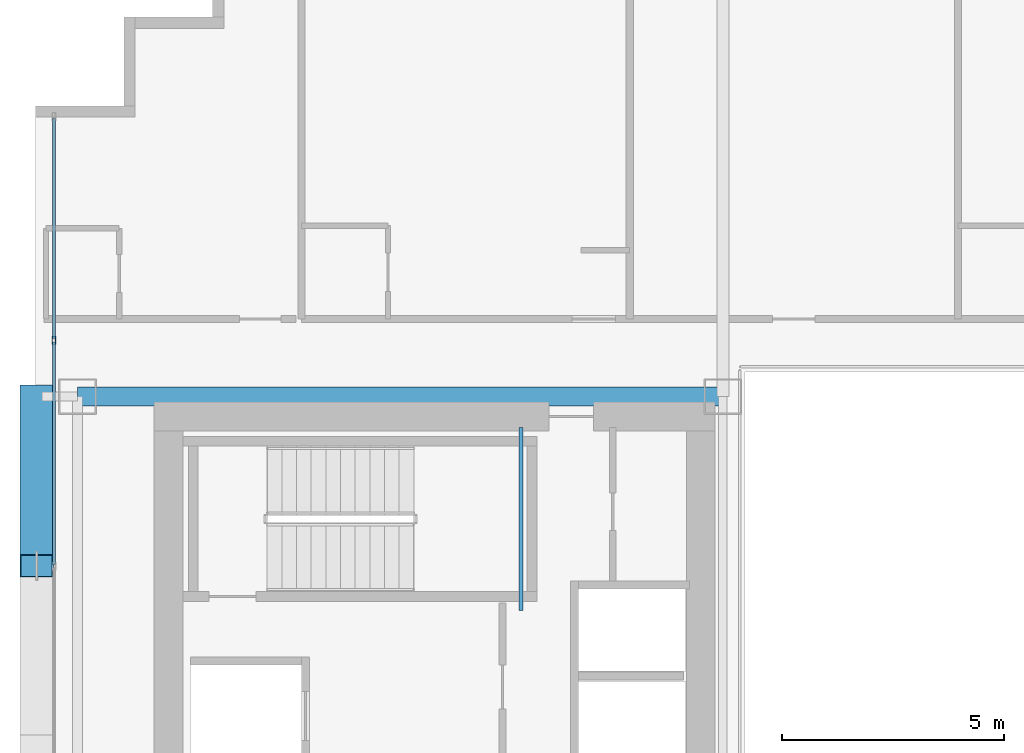
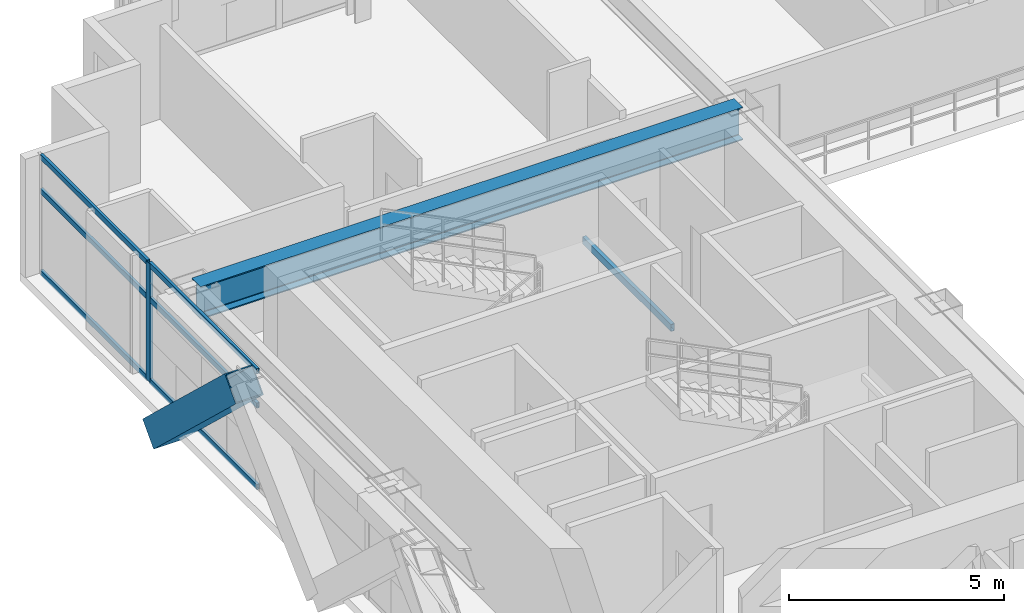
# One storey, part 16 of 34: 8 members, 2 beams, 1 element without a shape of its own.
"""IFC4 building model written with IfcOpenShell, lengths in metres."""

from ifc_helpers import new_model, si_unit, direction, frame, origin, origin_2d, place, context, subcontext, project, spatial, hollow_rectangle, i_section, extrude, source, transform, mapped, material, layer, layer_set, material_profile, profile_set, type_object, element, aggregate, save


model = new_model("IFC4")

# Units and contexts
model_context = context("Model", 3, precision=1e-05, world=origin(), true_north=direction((0.0, 1.0)))
body_context = subcontext(model_context, "Body", "Model", "MODEL_VIEW")
ifc_project = project(units=[si_unit("LENGTHUNIT", "METRE"), si_unit("AREAUNIT", "SQUARE_METRE"), si_unit("VOLUMEUNIT", "CUBIC_METRE"), si_unit("PLANEANGLEUNIT", "RADIAN"), si_unit("MASSUNIT", "GRAM", prefix="KILO")], contexts=[model_context])

# Site, building, storey
site_placement = place(None, origin())
site = spatial("IfcSite", under=ifc_project, at=site_placement, CompositionType="ELEMENT")
building_placement = place(site_placement, origin())
building = spatial("IfcBuilding", under=site, at=building_placement, Name="Ocotamira Hotel", CompositionType="ELEMENT")
storey_placement = place(building_placement, frame((0.0, 0.0, 111.60009765625)))
storey = spatial("IfcBuildingStorey", under=building, at=storey_placement, Name="L27", CompositionType="ELEMENT", Elevation=111.60009765625)

# Beams
ifc_material_1 = material(Name="Steel ASTM A500 Grade C", Category="steel")
ifc_material_profile_1 = material_profile(ifc_material_1, hollow_rectangle(XDim=0.10009765625, YDim=0.199951171875, WallThickness=0.008056640625, at=origin_2d()), Name="HSS200X100X8")
ifc_profile_set_1 = profile_set([ifc_material_profile_1], Name="Steel ASTM A500 Grade C")
beam_type_1 = type_object("IfcBeamType", Name="BM-STLDG-HSS200", PredefinedType="BEAM", material=ifc_profile_set_1)
shared_shape_1 = source(origin(), body_context, "Body", "SweptSolid", [
    extrude(hollow_rectangle(XDim=0.10009765625, YDim=0.199951171875, WallThickness=0.008056640625, at=origin_2d()), origin(), (0.0, 0.0, 1.0), 4.1201171875),
])
beam_1_placement = place(storey_placement, frame((18.949951171875, 32.6298828125, 1.5), z_axis=(0.0, 1.0, 0.0), x_axis=(-1.0, 0.0, 0.0)))
element("IfcBeam", 1, at=beam_1_placement, inside=storey, type_object=beam_type_1, Name="L27 Stair ST-2 Landing Bearer 1", PredefinedType="BEAM", context=body_context, shape_type="MappedRepresentation", body=[
    mapped(shared_shape_1, transform((0.0, 0.0, 0.0), scale=1.0)),
])
ifc_material_2 = material(Name="Steel ASTM A992 Grade 50", Category="steel")
ifc_material_profile_2 = material_profile(ifc_material_2, i_section(OverallWidth=0.41796875, OverallDepth=0.927001953125, WebThickness=0.019287109375, FlangeThickness=0.031982421875, FilletRadius=0.02392578125, at=origin_2d()), Name="W36X231")
ifc_profile_set_2 = profile_set([ifc_material_profile_2], Name="Steel ASTM A992 Grade 50")
beam_type_2 = type_object("IfcBeamType", Name="BM-GIRD-W36X231", PredefinedType="BEAM", material=ifc_profile_set_2)
shared_shape_2 = source(origin(), body_context, "Body", "SweptSolid", [
    extrude(i_section(OverallWidth=0.41796875, OverallDepth=0.927001953125, WebThickness=0.019287109375, FlangeThickness=0.031982421875, FilletRadius=0.02392578125, at=origin_2d()), origin(), (0.0, 0.0, 1.0), 14.550048828125),
])
beam_2_placement = place(storey_placement, frame((8.949951171875, 37.449951171875, 2.896484375), z_axis=(1.0, 0.0, 0.0), x_axis=(0.0, 1.0, 0.0)))
element("IfcBeam", 2, at=beam_2_placement, inside=storey, type_object=beam_type_2, Name="L27 Girder Y37.45 X8.95-23.5", PredefinedType="BEAM", context=body_context, shape_type="MappedRepresentation", body=[
    mapped(shared_shape_2, transform((0.0, 0.0, 0.0), scale=1.0)),
])

# Member
ifc_material_3 = material(Name="Pale-metal coated steel ASTM A913 Grade 65", Category="steel")
ifc_material_profile_3 = material_profile(ifc_material_3, hollow_rectangle(XDim=0.75, YDim=0.75, WallThickness=0.028076171875, at=origin_2d()), Name="BOX750X750X28")
ifc_profile_set_3 = profile_set([ifc_material_profile_3], Name="Pale-metal coated steel ASTM A913 Grade 65")
member_type_1 = type_object("IfcMemberType", Name="MEM-EXO-BOX750", PredefinedType="BRACE", material=ifc_profile_set_3)
shared_shape_3 = source(origin(), body_context, "Body", "SweptSolid", [
    extrude(hollow_rectangle(XDim=0.75, YDim=0.75, WallThickness=0.028076171875, at=origin_2d()), origin(), (0.0, 0.0, 1.0), 5.24658203125),
])
member_1_placement = place(storey_placement, frame((8.030029296875, 37.449951171875, -0.489990234375), z_axis=(0.0, -0.72746596067, 0.686143772154), x_axis=(1.0, 0.0, 0.0)))
element("IfcMember", 3, at=member_1_placement, inside=storey, type_object=member_type_1, Name="L27 Exoskeleton Diagrid W2.2", PredefinedType="BRACE", context=body_context, shape_type="MappedRepresentation", body=[
    mapped(shared_shape_3, transform((0.0, 0.0, 0.0), scale=1.0)),
])

# Curtain wall, members
ifc_material_4 = material(Name="Anodised pale-metal aluminium and solar glass", Category="aluminium")
ifc_layer = layer(ifc_material_4, 0.179931640625)
ifc_layer_set = layer_set([ifc_layer], Name="Anodised pale-metal aluminium and solar glass")
curtain_wall_type = type_object("IfcCurtainWallType", Name="CW-SYS3-Z2", PredefinedType="NOTDEFINED", material=ifc_layer_set)
curtain_wall_placement = place(storey_placement, origin())
curtain_wall = element("IfcCurtainWall", 4, at=curtain_wall_placement, inside=storey, type_object=curtain_wall_type, Name="L27 Curtain Wall CW-3 CW-L27-W", PredefinedType="NOTDEFINED")
ifc_material_5 = material(Name="Anodised pale-metal aluminium 6063-T6", Category="aluminium")
ifc_material_profile_4 = material_profile(ifc_material_5, hollow_rectangle(XDim=0.074951171875, YDim=0.14990234375, WallThickness=0.006103515625, at=origin_2d()), Name="HSS150X75X6")
ifc_profile_set_4 = profile_set([ifc_material_profile_4], Name="Anodised pale-metal aluminium 6063-T6")
member_type_2 = type_object("IfcMemberType", Name="CWT-150X75", PredefinedType="USERDEFINED", material=ifc_profile_set_4)
shared_shape_4 = source(origin(), body_context, "Body", "SweptSolid", [
    extrude(hollow_rectangle(XDim=0.074951171875, YDim=0.14990234375, WallThickness=0.006103515625, at=origin_2d()), origin(), (0.0, 0.0, 1.0), 4.965576171875),
])
member_2_placement = place(storey_placement, frame((8.419921875, 38.75439453125, 0.037353515625), z_axis=(0.0, 1.0, 0.0), x_axis=(-1.0, 0.0, 0.0)))
member_2 = element("IfcMember", 5, at=member_2_placement, type_object=member_type_2, Name="CW-3 transom 7.1", ObjectType="TRANSOM", PredefinedType="USERDEFINED", context=body_context, shape_type="MappedRepresentation", body=[
    mapped(shared_shape_4, transform((0.0, 0.0, 0.0), scale=1.0)),
])
member_3_placement = place(storey_placement, frame((8.419921875, 38.75439453125, 2.349853515625), z_axis=(0.0, 1.0, 0.0), x_axis=(-1.0, 0.0, 0.0)))
member_3 = element("IfcMember", 6, at=member_3_placement, type_object=member_type_2, Name="CW-3 transom 7.2", ObjectType="TRANSOM", PredefinedType="USERDEFINED", context=body_context, shape_type="MappedRepresentation", body=[
    mapped(shared_shape_4, transform((0.0, 0.0, 0.0), scale=1.0)),
])
member_4_placement = place(storey_placement, frame((8.419921875, 38.75439453125, 3.322509765625), z_axis=(0.0, 1.0, 0.0), x_axis=(-1.0, 0.0, 0.0)))
member_4 = element("IfcMember", 7, at=member_4_placement, type_object=member_type_2, Name="CW-3 transom 7.3", ObjectType="TRANSOM", PredefinedType="USERDEFINED", context=body_context, shape_type="MappedRepresentation", body=[
    mapped(shared_shape_4, transform((0.0, 0.0, 0.0), scale=1.0)),
])
shared_shape_5 = source(origin(), body_context, "Body", "SweptSolid", [
    extrude(hollow_rectangle(XDim=0.074951171875, YDim=0.14990234375, WallThickness=0.006103515625, at=origin_2d()), origin(), (0.0, 0.0, 1.0), 5.005859375),
])
member_5_placement = place(storey_placement, frame((8.419921875, 33.66845703125, 0.037353515625), z_axis=(0.0, 1.0, 0.0), x_axis=(-1.0, 0.0, 0.0)))
member_5 = element("IfcMember", 8, at=member_5_placement, type_object=member_type_2, Name="CW-3 transom 6.1", ObjectType="TRANSOM", PredefinedType="USERDEFINED", context=body_context, shape_type="MappedRepresentation", body=[
    mapped(shared_shape_5, transform((0.0, 0.0, 0.0), scale=1.0)),
])
member_6_placement = place(storey_placement, frame((8.419921875, 33.66845703125, 2.349853515625), z_axis=(0.0, 1.0, 0.0), x_axis=(-1.0, 0.0, 0.0)))
member_6 = element("IfcMember", 9, at=member_6_placement, type_object=member_type_2, Name="CW-3 transom 6.2", ObjectType="TRANSOM", PredefinedType="USERDEFINED", context=body_context, shape_type="MappedRepresentation", body=[
    mapped(shared_shape_5, transform((0.0, 0.0, 0.0), scale=1.0)),
])
member_7_placement = place(storey_placement, frame((8.419921875, 33.66845703125, 3.322509765625), z_axis=(0.0, 1.0, 0.0), x_axis=(-1.0, 0.0, 0.0)))
member_7 = element("IfcMember", 10, at=member_7_placement, type_object=member_type_2, Name="CW-3 transom 6.3", ObjectType="TRANSOM", PredefinedType="USERDEFINED", context=body_context, shape_type="MappedRepresentation", body=[
    mapped(shared_shape_5, transform((0.0, 0.0, 0.0), scale=1.0)),
])
ifc_material_profile_5 = material_profile(ifc_material_5, hollow_rectangle(XDim=0.080078125, YDim=0.179931640625, WallThickness=0.006103515625, at=origin_2d()), Name="HSS180X80X6")
ifc_profile_set_5 = profile_set([ifc_material_profile_5], Name="Anodised pale-metal aluminium 6063-T6")
member_type_3 = type_object("IfcMemberType", Name="CWM-180X75", PredefinedType="MULLION", material=ifc_profile_set_5)
shared_shape_6 = source(origin(), body_context, "Body", "SweptSolid", [
    extrude(hollow_rectangle(XDim=0.080078125, YDim=0.179931640625, WallThickness=0.006103515625, at=origin_2d()), origin(), (0.0, 0.0, 1.0), 3.35986328125),
])
member_8_placement = place(storey_placement, frame((8.419921875, 38.71435546875, 0.0), z_axis=(0.0, 0.0, 1.0), x_axis=(-1.0, 0.0, 0.0)))
member_8 = element("IfcMember", 11, at=member_8_placement, type_object=member_type_3, Name="CW-3 mullion 7", PredefinedType="MULLION", context=body_context, shape_type="MappedRepresentation", body=[
    mapped(shared_shape_6, transform((0.0, 0.0, 0.0), scale=1.0)),
])
aggregate(curtain_wall, [member_8, member_5, member_6, member_7, member_2, member_3, member_4])

save(model, "model.ifc")
